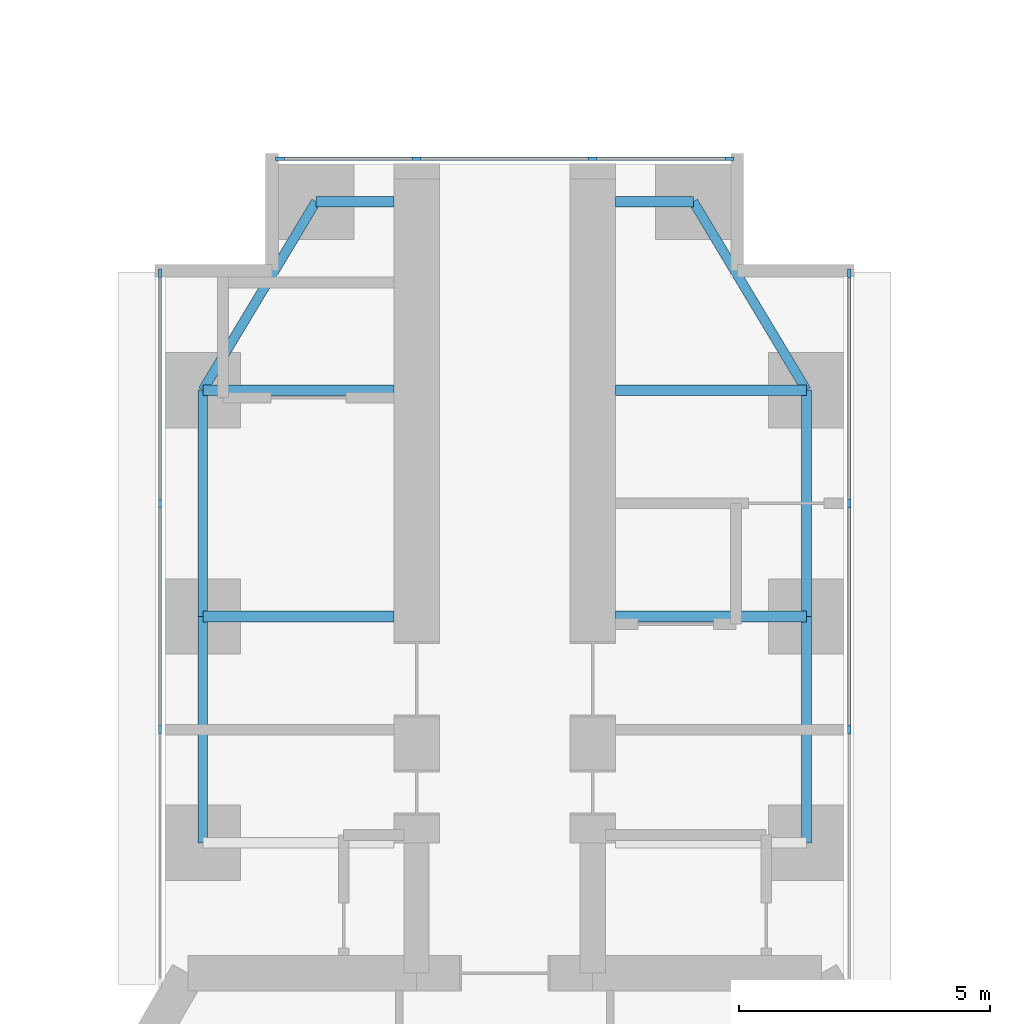
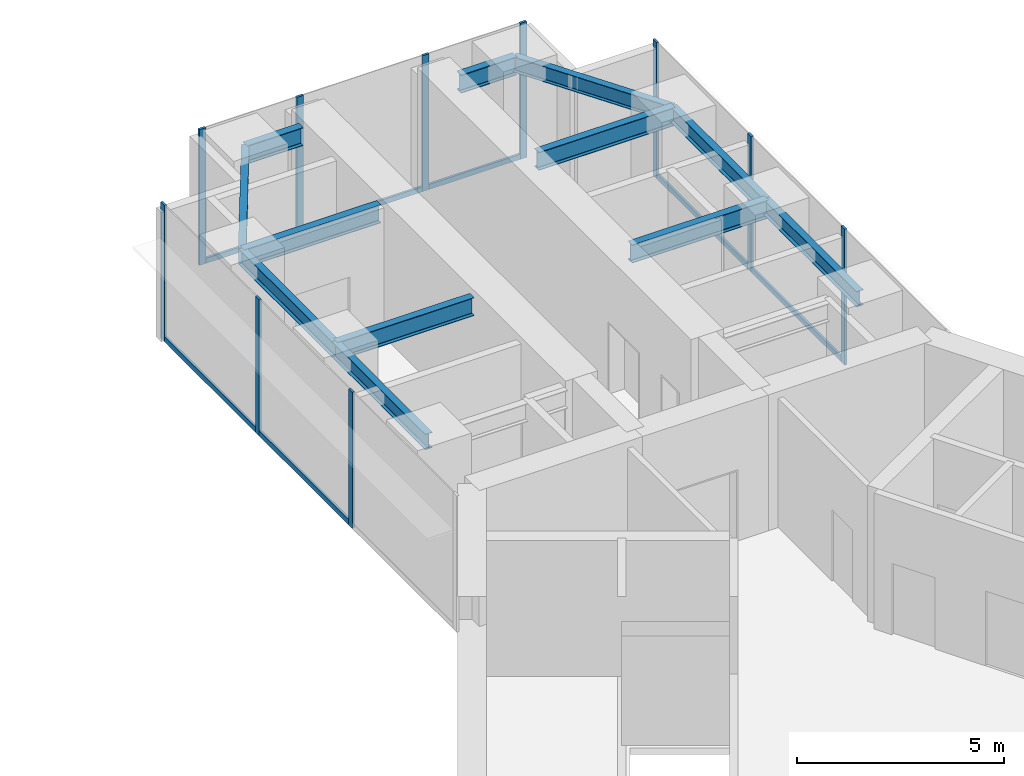
# One storey, part 13 of 22: 17 members, 12 beams, 3 elements without a shape of their own.
"""IFC4 building model written with IfcOpenShell, lengths in metres."""

from ifc_helpers import new_model, si_unit, direction, frame, origin, origin_2d, place, context, subcontext, project, spatial, rectangle, i_section, extrude, material, material_profile, profile_set, type_object, element, aggregate, save


model = new_model("IFC4")

# Units and contexts
model_context = context("Model", 3, precision=1e-05, world=origin(), true_north=direction((0.0, 1.0)))
body_context = subcontext(model_context, "Body", "Model", "MODEL_VIEW")
ifc_project = project(units=[si_unit("LENGTHUNIT", "METRE"), si_unit("AREAUNIT", "SQUARE_METRE"), si_unit("VOLUMEUNIT", "CUBIC_METRE"), si_unit("PLANEANGLEUNIT", "RADIAN"), si_unit("MASSUNIT", "GRAM", prefix="KILO")], contexts=[model_context])

# Site, building, storey
site_placement = place(None, origin())
site = spatial("IfcSite", under=ifc_project, at=site_placement, CompositionType="ELEMENT")
building_placement = place(site_placement, origin())
building = spatial("IfcBuilding", under=site, at=building_placement, Name="Upepo Twin Towers", CompositionType="ELEMENT")
storey_placement = place(building_placement, frame((0.0, 0.0, 40.5)))
storey = spatial("IfcBuildingStorey", under=building, at=storey_placement, Name="L09", CompositionType="ELEMENT", Elevation=40.5)

# Beams
ifc_material_1 = material(Name="Steel S355", Category="steel")
ifc_material_profile_1 = material_profile(ifc_material_1, i_section(OverallWidth=0.1904296875, OverallDepth=0.45703125, WebThickness=0.009033203125, FlangeThickness=0.014404296875, FilletRadius=0.01025390625, at=origin_2d()), Name="UB 457x191x74")
ifc_profile_set_1 = profile_set([ifc_material_profile_1], Name="Steel S355")
beam_type_1 = type_object("IfcBeamType", Name="Beam UB 457x191x74", PredefinedType="BEAM", material=ifc_profile_set_1)
for number, where, z_axis, x_axis, name in (
    (1, (52.5, -4.5, 3.571533203125), (0.0, 1.0, 0.0), (-1.0, 0.0, 0.0), "T2 edge beam AL 13.5-18.0"),
    (2, (52.5, 0.0, 3.571533203125), (0.0, 1.0, 0.0), (-1.0, 0.0, 0.0), "T2 edge beam AL 18.0-22.5"),
):
    element("IfcBeam", number, at=place(storey_placement, frame(where, z_axis=z_axis, x_axis=x_axis)), inside=storey, type_object=beam_type_1, Name=name, PredefinedType="BEAM", context=body_context, shape_type="SweptSolid", body=[
        extrude(i_section(OverallWidth=0.1904296875, OverallDepth=0.45703125, WebThickness=0.009033203125, FlangeThickness=0.014404296875, FilletRadius=0.01025390625, at=origin_2d()), origin(), (0.0, 0.0, 1.0), 4.5),
    ])
beam_1_placement = place(storey_placement, frame((52.5, 4.5, 3.571533203125), z_axis=(0.514495755428, 0.857492925713, 0.0), x_axis=(-0.857492925713, 0.514495755428, 0.0)))
element("IfcBeam", 3, at=beam_1_placement, inside=storey, type_object=beam_type_1, Name="T2 nose edge beam AL", PredefinedType="BEAM", context=body_context, shape_type="SweptSolid", body=[
    extrude(i_section(OverallWidth=0.1904296875, OverallDepth=0.45703125, WebThickness=0.009033203125, FlangeThickness=0.014404296875, FilletRadius=0.01025390625, at=origin_2d()), origin(), (0.0, 0.0, 1.0), 4.373291015625),
])
for number, where, z_axis, x_axis, name in (
    (4, (64.5, -4.5, 3.571533203125), (0.0, 1.0, 0.0), (-1.0, 0.0, 0.0), "T2 edge beam AR 13.5-18.0"),
    (5, (64.5, 0.0, 3.571533203125), (0.0, 1.0, 0.0), (-1.0, 0.0, 0.0), "T2 edge beam AR 18.0-22.5"),
):
    element("IfcBeam", number, at=place(storey_placement, frame(where, z_axis=z_axis, x_axis=x_axis)), inside=storey, type_object=beam_type_1, Name=name, PredefinedType="BEAM", context=body_context, shape_type="SweptSolid", body=[
        extrude(i_section(OverallWidth=0.1904296875, OverallDepth=0.45703125, WebThickness=0.009033203125, FlangeThickness=0.014404296875, FilletRadius=0.01025390625, at=origin_2d()), origin(), (0.0, 0.0, 1.0), 4.5),
    ])
beam_2_placement = place(storey_placement, frame((64.5, 4.5, 3.571533203125), z_axis=(-0.514495755428, 0.857492925713, 0.0), x_axis=(-0.857492925713, -0.514495755428, 0.0)))
element("IfcBeam", 6, at=beam_2_placement, inside=storey, type_object=beam_type_1, Name="T2 nose edge beam AR", PredefinedType="BEAM", context=body_context, shape_type="SweptSolid", body=[
    extrude(i_section(OverallWidth=0.1904296875, OverallDepth=0.45703125, WebThickness=0.009033203125, FlangeThickness=0.014404296875, FilletRadius=0.01025390625, at=origin_2d()), origin(), (0.0, 0.0, 1.0), 4.373291015625),
])
ifc_material_2 = material(Name="Steel S355", Category="steel")
ifc_material_profile_2 = material_profile(ifc_material_2, i_section(OverallWidth=0.2099609375, OverallDepth=0.53662109375, WebThickness=0.0107421875, FlangeThickness=0.017333984375, FilletRadius=0.0126953125, at=origin_2d()), Name="UB 533x210x101")
ifc_profile_set_2 = profile_set([ifc_material_profile_2], Name="Steel S355")
beam_type_2 = type_object("IfcBeamType", Name="Beam UB 533x210x101", PredefinedType="BEAM", material=ifc_profile_set_2)
for number, where, z_axis, x_axis, name in (
    (7, (54.75, 8.25, 3.53173828125), (1.0, 0.0, 0.0), (0.0, 1.0, 0.0), "T2 nose beam AL"),
    (8, (62.25, 8.25, 3.53173828125), (-1.0, 0.0, 0.0), (0.0, -1.0, 0.0), "T2 nose beam AR"),
):
    element("IfcBeam", number, at=place(storey_placement, frame(where, z_axis=z_axis, x_axis=x_axis)), inside=storey, type_object=beam_type_2, Name=name, PredefinedType="BEAM", context=body_context, shape_type="SweptSolid", body=[
        extrude(i_section(OverallWidth=0.2099609375, OverallDepth=0.53662109375, WebThickness=0.0107421875, FlangeThickness=0.017333984375, FilletRadius=0.0126953125, at=origin_2d()), origin(), (0.0, 0.0, 1.0), 1.550048828125),
    ])
ifc_material_3 = material(Name="Steel S355", Category="steel")
ifc_material_profile_3 = material_profile(ifc_material_3, i_section(OverallWidth=0.209228515625, OverallDepth=0.533203125, WebThickness=0.010009765625, FlangeThickness=0.015625, FilletRadius=0.0126953125, at=origin_2d()), Name="UB 533x210x92")
ifc_profile_set_3 = profile_set([ifc_material_profile_3], Name="Steel S355")
beam_type_3 = type_object("IfcBeamType", Name="Beam UB 533x210x92", PredefinedType="BEAM", material=ifc_profile_set_3)
for number, where, z_axis, x_axis, name in (
    (9, (52.5, 0.0, 3.533447265625), (1.0, 0.0, 0.0), (0.0, 1.0, 0.0), "T2 girder AL at 18.0"),
    (10, (52.5, 4.5, 3.533447265625), (1.0, 0.0, 0.0), (0.0, 1.0, 0.0), "T2 girder AL at 22.5"),
    (11, (64.5, 0.0, 3.533447265625), (-1.0, 0.0, 0.0), (0.0, -1.0, 0.0), "T2 girder AR at 18.0"),
    (12, (64.5, 4.5, 3.533447265625), (-1.0, 0.0, 0.0), (0.0, -1.0, 0.0), "T2 girder AR at 22.5"),
):
    element("IfcBeam", number, at=place(storey_placement, frame(where, z_axis=z_axis, x_axis=x_axis)), inside=storey, type_object=beam_type_3, Name=name, PredefinedType="BEAM", context=body_context, shape_type="SweptSolid", body=[
        extrude(i_section(OverallWidth=0.209228515625, OverallDepth=0.533203125, WebThickness=0.010009765625, FlangeThickness=0.015625, FilletRadius=0.0126953125, at=origin_2d()), origin(), (0.0, 0.0, 1.0), 3.800048828125),
    ])

# Curtain wall, members
ifc_material_4 = material(Name="Aluminium and fritted glass", Category="aluminium")
curtain_wall_type = type_object("IfcCurtainWallType", Name="Tower curtain wall TW1, fritted glass", PredefinedType="NOTDEFINED", material=ifc_material_4)
curtain_wall_1_placement = place(storey_placement, origin())
curtain_wall_1 = element("IfcCurtainWall", 13, at=curtain_wall_1_placement, inside=storey, type_object=curtain_wall_type, Name="T2 L09 wing A flank L curtain wall", PredefinedType="NOTDEFINED")
ifc_material_5 = material(Name="Aluminium mullion", Category="aluminium")
ifc_material_profile_4 = material_profile(ifc_material_5, rectangle(XDim=0.06494140625, YDim=0.179931640625, at=origin_2d()), Name="MULLION 65x180")
ifc_profile_set_4 = profile_set([ifc_material_profile_4], Name="Aluminium mullion")
member_type_1 = type_object("IfcMemberType", Name="Mullion 65x180 TW1", PredefinedType="MULLION", material=ifc_profile_set_4)
member_1_placement = place(storey_placement, frame((51.64990234375, -2.25, 0.0), z_axis=(0.0, 0.0, 1.0), x_axis=(-1.0, 0.0, 0.0)))
member_1 = element("IfcMember", 14, at=member_1_placement, type_object=member_type_1, Name="T2 L09 wing A flank L curtain wall mullion 2", PredefinedType="MULLION", context=body_context, shape_type="SweptSolid", body=[
    extrude(rectangle(XDim=0.06494140625, YDim=0.179931640625, at=origin_2d()), origin(), (0.0, 0.0, 1.0), 4.0),
])
member_2_placement = place(storey_placement, frame((51.64990234375, 2.25, 0.0), z_axis=(0.0, 0.0, 1.0), x_axis=(-1.0, 0.0, 0.0)))
member_2 = element("IfcMember", 15, at=member_2_placement, type_object=member_type_1, Name="T2 L09 wing A flank L curtain wall mullion 3", PredefinedType="MULLION", context=body_context, shape_type="SweptSolid", body=[
    extrude(rectangle(XDim=0.06494140625, YDim=0.179931640625, at=origin_2d()), origin(), (0.0, 0.0, 1.0), 4.0),
])
member_3_placement = place(storey_placement, frame((51.64990234375, 6.8173828125, 0.0), z_axis=(0.0, 0.0, 1.0), x_axis=(-1.0, 0.0, 0.0)))
member_3 = element("IfcMember", 16, at=member_3_placement, type_object=member_type_1, Name="T2 L09 wing A flank L curtain wall mullion 4", PredefinedType="MULLION", context=body_context, shape_type="SweptSolid", body=[
    extrude(rectangle(XDim=0.06494140625, YDim=0.179931640625, at=origin_2d()), origin(), (0.0, 0.0, 1.0), 4.0),
])

curtain_wall_2_placement = place(storey_placement, origin())
curtain_wall_2 = element("IfcCurtainWall", 17, at=curtain_wall_2_placement, inside=storey, type_object=curtain_wall_type, Name="T2 L09 wing A flank R curtain wall", PredefinedType="NOTDEFINED")
member_4_placement = place(storey_placement, frame((65.35009765625, 6.8173828125, 0.0), z_axis=(0.0, 0.0, 1.0), x_axis=(1.0, 0.0, 0.0)))
member_4 = element("IfcMember", 18, at=member_4_placement, type_object=member_type_1, Name="T2 L09 wing A flank R curtain wall mullion 1", PredefinedType="MULLION", context=body_context, shape_type="SweptSolid", body=[
    extrude(rectangle(XDim=0.06494140625, YDim=0.179931640625, at=origin_2d()), origin(), (0.0, 0.0, 1.0), 4.0),
])
member_5_placement = place(storey_placement, frame((65.35009765625, 2.25, 0.0), z_axis=(0.0, 0.0, 1.0), x_axis=(1.0, 0.0, 0.0)))
member_5 = element("IfcMember", 19, at=member_5_placement, type_object=member_type_1, Name="T2 L09 wing A flank R curtain wall mullion 2", PredefinedType="MULLION", context=body_context, shape_type="SweptSolid", body=[
    extrude(rectangle(XDim=0.06494140625, YDim=0.179931640625, at=origin_2d()), origin(), (0.0, 0.0, 1.0), 4.0),
])
member_6_placement = place(storey_placement, frame((65.35009765625, -2.25, 0.0), z_axis=(0.0, 0.0, 1.0), x_axis=(1.0, 0.0, 0.0)))
member_6 = element("IfcMember", 20, at=member_6_placement, type_object=member_type_1, Name="T2 L09 wing A flank R curtain wall mullion 3", PredefinedType="MULLION", context=body_context, shape_type="SweptSolid", body=[
    extrude(rectangle(XDim=0.06494140625, YDim=0.179931640625, at=origin_2d()), origin(), (0.0, 0.0, 1.0), 4.0),
])

curtain_wall_3_placement = place(storey_placement, origin())
curtain_wall_3 = element("IfcCurtainWall", 21, at=curtain_wall_3_placement, inside=storey, type_object=curtain_wall_type, Name="T2 L09 wing A nose curtain wall", PredefinedType="NOTDEFINED")
member_7_placement = place(storey_placement, frame((62.967529296875, 9.10009765625, 0.0), z_axis=(0.0, 0.0, 1.0), x_axis=(0.0, -1.0, 0.0)))
member_7 = element("IfcMember", 22, at=member_7_placement, type_object=member_type_1, Name="T2 L09 wing A nose curtain wall mullion 1", PredefinedType="MULLION", context=body_context, shape_type="SweptSolid", body=[
    extrude(rectangle(XDim=0.06494140625, YDim=0.179931640625, at=origin_2d()), origin(), (0.0, 0.0, 1.0), 4.0),
])
member_8_placement = place(storey_placement, frame((60.25, 9.10009765625, 0.0), z_axis=(0.0, 0.0, 1.0), x_axis=(0.0, -1.0, 0.0)))
member_8 = element("IfcMember", 23, at=member_8_placement, type_object=member_type_1, Name="T2 L09 wing A nose curtain wall mullion 2", PredefinedType="MULLION", context=body_context, shape_type="SweptSolid", body=[
    extrude(rectangle(XDim=0.06494140625, YDim=0.179931640625, at=origin_2d()), origin(), (0.0, 0.0, 1.0), 4.0),
])
member_9_placement = place(storey_placement, frame((56.75, 9.10009765625, 0.0), z_axis=(0.0, 0.0, 1.0), x_axis=(0.0, -1.0, 0.0)))
member_9 = element("IfcMember", 24, at=member_9_placement, type_object=member_type_1, Name="T2 L09 wing A nose curtain wall mullion 3", PredefinedType="MULLION", context=body_context, shape_type="SweptSolid", body=[
    extrude(rectangle(XDim=0.06494140625, YDim=0.179931640625, at=origin_2d()), origin(), (0.0, 0.0, 1.0), 4.0),
])
member_10_placement = place(storey_placement, frame((54.032470703125, 9.10009765625, 0.0), z_axis=(0.0, 0.0, 1.0), x_axis=(0.0, -1.0, 0.0)))
member_10 = element("IfcMember", 25, at=member_10_placement, type_object=member_type_1, Name="T2 L09 wing A nose curtain wall mullion 4", PredefinedType="MULLION", context=body_context, shape_type="SweptSolid", body=[
    extrude(rectangle(XDim=0.06494140625, YDim=0.179931640625, at=origin_2d()), origin(), (0.0, 0.0, 1.0), 4.0),
])

# Member
ifc_material_6 = material(Name="Aluminium transom", Category="aluminium")
ifc_material_profile_5 = material_profile(ifc_material_6, rectangle(XDim=0.06494140625, YDim=0.14990234375, at=origin_2d()), Name="TRANSOM 65x150")
ifc_profile_set_5 = profile_set([ifc_material_profile_5], Name="Aluminium transom")
member_type_2 = type_object("IfcMemberType", Name="Transom 65x150 TW1", PredefinedType="USERDEFINED", material=ifc_profile_set_5)
member_11_placement = place(storey_placement, frame((51.64990234375, -2.217529296875, 0.074951171875), z_axis=(0.0, 1.0, 0.0), x_axis=(-1.0, 0.0, 0.0)))
member_11 = element("IfcMember", 26, at=member_11_placement, type_object=member_type_2, Name="T2 L09 wing A flank L curtain wall transom 2", ObjectType="TRANSOM", PredefinedType="USERDEFINED", context=body_context, shape_type="SweptSolid", body=[
    extrude(rectangle(XDim=0.06494140625, YDim=0.14990234375, at=origin_2d()), origin(), (0.0, 0.0, 1.0), 4.43505859375),
])

member_12_placement = place(storey_placement, frame((51.64990234375, 2.282470703125, 0.074951171875), z_axis=(0.0, 1.0, 0.0), x_axis=(-1.0, 0.0, 0.0)))
member_12 = element("IfcMember", 27, at=member_12_placement, type_object=member_type_2, Name="T2 L09 wing A flank L curtain wall transom 3", ObjectType="TRANSOM", PredefinedType="USERDEFINED", context=body_context, shape_type="SweptSolid", body=[
    extrude(rectangle(XDim=0.06494140625, YDim=0.14990234375, at=origin_2d()), origin(), (0.0, 0.0, 1.0), 4.50244140625),
])

aggregate(curtain_wall_1, [member_1, member_2, member_3, member_11, member_12])

member_13_placement = place(storey_placement, frame((65.35009765625, 6.784912109375, 0.074951171875), z_axis=(0.0, -1.0, 0.0), x_axis=(1.0, 0.0, 0.0)))
member_13 = element("IfcMember", 28, at=member_13_placement, type_object=member_type_2, Name="T2 L09 wing A flank R curtain wall transom 1", ObjectType="TRANSOM", PredefinedType="USERDEFINED", context=body_context, shape_type="SweptSolid", body=[
    extrude(rectangle(XDim=0.06494140625, YDim=0.14990234375, at=origin_2d()), origin(), (0.0, 0.0, 1.0), 4.50244140625),
])

member_14_placement = place(storey_placement, frame((65.35009765625, 2.217529296875, 0.074951171875), z_axis=(0.0, -1.0, 0.0), x_axis=(1.0, 0.0, 0.0)))
member_14 = element("IfcMember", 29, at=member_14_placement, type_object=member_type_2, Name="T2 L09 wing A flank R curtain wall transom 2", ObjectType="TRANSOM", PredefinedType="USERDEFINED", context=body_context, shape_type="SweptSolid", body=[
    extrude(rectangle(XDim=0.06494140625, YDim=0.14990234375, at=origin_2d()), origin(), (0.0, 0.0, 1.0), 4.43505859375),
])

aggregate(curtain_wall_2, [member_4, member_5, member_6, member_13, member_14])

member_15_placement = place(storey_placement, frame((62.93505859375, 9.10009765625, 0.074951171875), z_axis=(-1.0, 0.0, 0.0), x_axis=(0.0, -1.0, 0.0)))
member_15 = element("IfcMember", 30, at=member_15_placement, type_object=member_type_2, Name="T2 L09 wing A nose curtain wall transom 1", ObjectType="TRANSOM", PredefinedType="USERDEFINED", context=body_context, shape_type="SweptSolid", body=[
    extrude(rectangle(XDim=0.06494140625, YDim=0.14990234375, at=origin_2d()), origin(), (0.0, 0.0, 1.0), 2.652587890625),
])

member_16_placement = place(storey_placement, frame((60.217529296875, 9.10009765625, 0.074951171875), z_axis=(-1.0, 0.0, 0.0), x_axis=(0.0, -1.0, 0.0)))
member_16 = element("IfcMember", 31, at=member_16_placement, type_object=member_type_2, Name="T2 L09 wing A nose curtain wall transom 2", ObjectType="TRANSOM", PredefinedType="USERDEFINED", context=body_context, shape_type="SweptSolid", body=[
    extrude(rectangle(XDim=0.06494140625, YDim=0.14990234375, at=origin_2d()), origin(), (0.0, 0.0, 1.0), 3.43505859375),
])

member_17_placement = place(storey_placement, frame((56.717529296875, 9.10009765625, 0.074951171875), z_axis=(-1.0, 0.0, 0.0), x_axis=(0.0, -1.0, 0.0)))
member_17 = element("IfcMember", 32, at=member_17_placement, type_object=member_type_2, Name="T2 L09 wing A nose curtain wall transom 3", ObjectType="TRANSOM", PredefinedType="USERDEFINED", context=body_context, shape_type="SweptSolid", body=[
    extrude(rectangle(XDim=0.06494140625, YDim=0.14990234375, at=origin_2d()), origin(), (0.0, 0.0, 1.0), 2.652587890625),
])

aggregate(curtain_wall_3, [member_7, member_8, member_9, member_10, member_15, member_16, member_17])

save(model, "model.ifc")
